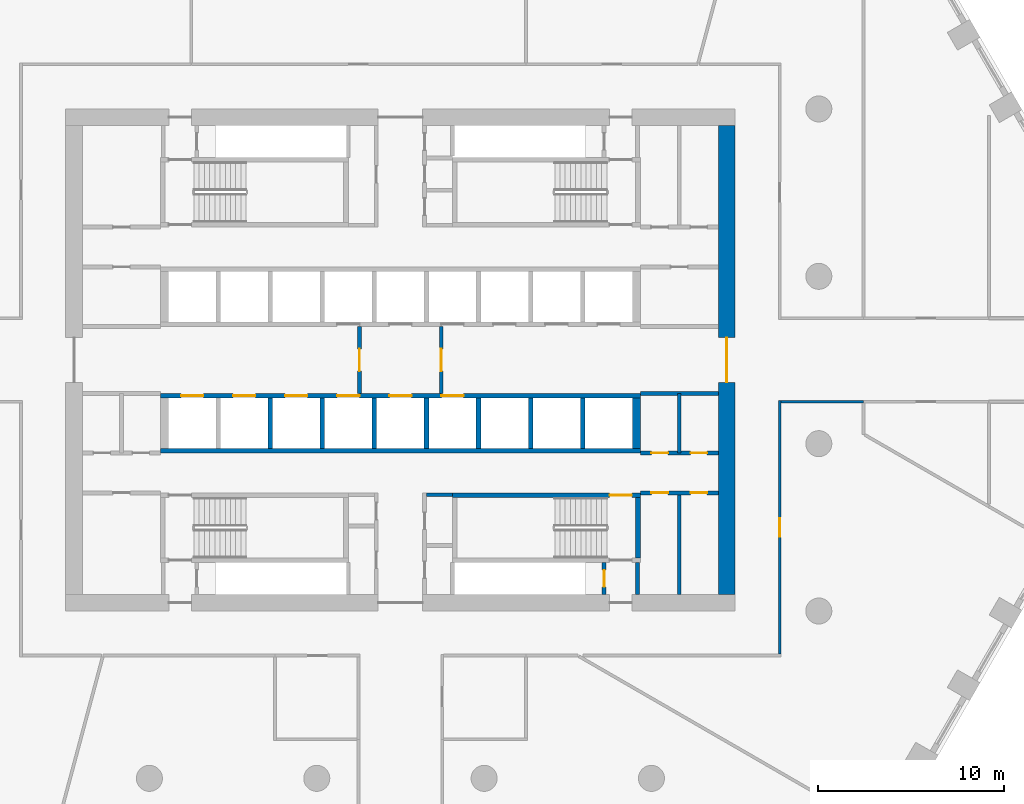
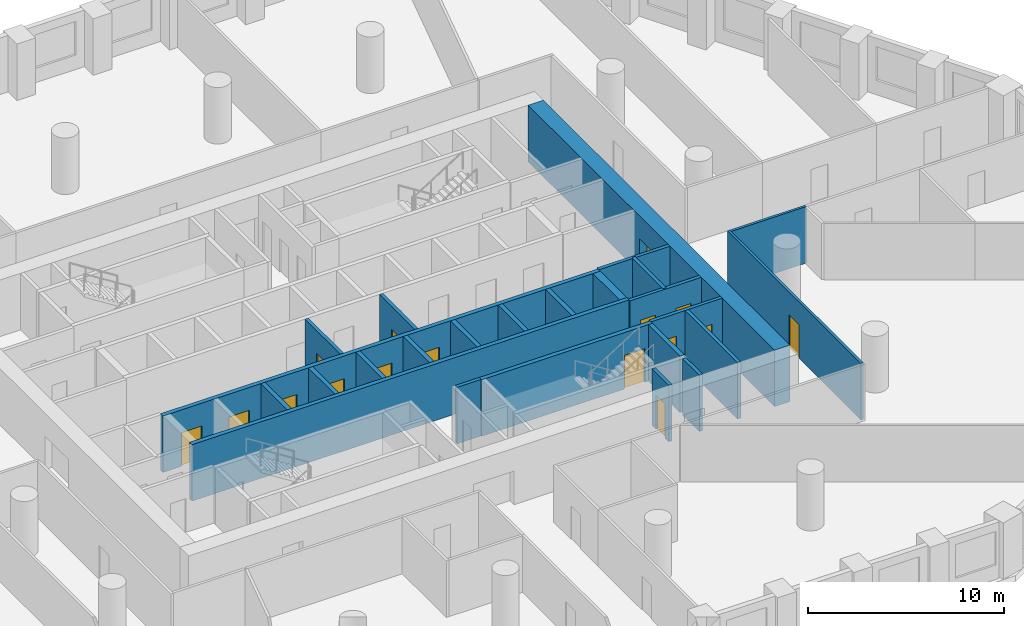
# One storey, part 4 of 10: 25 walls, 16 doors, 16 openings.
"""IFC4 building model written with IfcOpenShell, lengths in metres."""

from ifc_helpers import new_model, si_unit, direction, frame, frame_2d, origin, place, context, subcontext, project, spatial, polyline, rectangle, outline, extrude, material, layer, layer_set, type_object, element, fill, save


model = new_model("IFC4")

# Units and contexts
model_context = context("Model", 3, precision=1e-05, world=origin(), true_north=direction((0.0, 1.0)))
body_context = subcontext(model_context, "Body", "Model", "MODEL_VIEW")
ifc_project = project(units=[si_unit("LENGTHUNIT", "METRE"), si_unit("AREAUNIT", "SQUARE_METRE"), si_unit("VOLUMEUNIT", "CUBIC_METRE"), si_unit("PLANEANGLEUNIT", "RADIAN"), si_unit("MASSUNIT", "GRAM", prefix="KILO")], contexts=[model_context])

# Site, building, storey
site_placement = place(None, origin())
site = spatial("IfcSite", under=ifc_project, at=site_placement, CompositionType="ELEMENT")
building_placement = place(site_placement, origin())
building = spatial("IfcBuilding", under=site, at=building_placement, Name="Dhurran Vertical Campus", CompositionType="ELEMENT")
storey_placement = place(building_placement, frame((0.0, 0.0, 65.10009765625)))
storey = spatial("IfcBuildingStorey", under=building, at=storey_placement, Name="L15", CompositionType="ELEMENT", Elevation=65.10009765625)

# Wall, opening, door
ifc_material_1 = material(Name="Concrete C60/75", Category="concrete")
ifc_layer_1 = layer(ifc_material_1, 0.89990234375)
ifc_layer_set_1 = layer_set([ifc_layer_1], Name="Concrete C60/75")
wall_type_1 = type_object("IfcWallType", Name="co-CORE-WALL-C0-900", PredefinedType="SHEAR", material=ifc_layer_set_1)
wall_1_placement = place(storey_placement, frame((17.550048828125, -12.60009765625, 0.0), z_axis=(0.0, 0.0, 1.0), x_axis=(0.0, 1.0, 0.0)))
wall_1 = element("IfcWall", 1, at=wall_1_placement, inside=storey, type_object=wall_type_1, Name="Core wall E L15", PredefinedType="SHEAR", context=body_context, shape_type="SweptSolid", body=[
    extrude(rectangle(XDim=25.2001953125, YDim=0.89990234375, at=frame_2d((12.60009765625, 0.0))), origin(), (0.0, 0.0, 1.0), 3.52490234375),
])
opening_1_placement = place(wall_1_placement, frame((11.39990234375, 0.0, 0.0)))
opening_1 = element("IfcOpeningElement", 2, at=opening_1_placement, cuts=wall_1, Name="Opening CL2", PredefinedType="OPENING", context=body_context, shape_type="SweptSolid", body=[
    extrude(rectangle(XDim=2.39990234375, YDim=2.10009765625, at=frame_2d((1.199951171875, 1.050048828125))), frame((0.0, 0.4599609375, 0.0), z_axis=(0.0, -1.0, 0.0), x_axis=(1.0, 0.0, 0.0)), (0.0, 0.0, 1.0), 0.919921875),
])
ifc_material_2 = material(Name="Fire-rated glazed door set")
door_type_1 = type_object("IfcDoorType", Name="co-D-LOBBY 2400x2100", OperationType="DOUBLE_DOOR_DOUBLE_SWING", PredefinedType="DOOR", material=ifc_material_2)
door_1_placement = place(opening_1_placement, origin())
door_1 = element("IfcDoor", 3, at=door_1_placement, inside=storey, type_object=door_type_1, Name="Lift lobby door E L15", OperationType="DOUBLE_DOOR_DOUBLE_SWING", OverallHeight=2.10009765625, OverallWidth=2.39990234375, PredefinedType="DOOR", context=body_context, shape_type="SweptSolid", body=[
    extrude(rectangle(XDim=2.39990234375, YDim=2.10009765625, at=frame_2d((1.199951171875, 1.050048828125))), frame((0.0, 0.02490234375, 0.0), z_axis=(0.0, -1.0, 0.0), x_axis=(1.0, 0.0, 0.0)), (0.0, 0.0, 1.0), 0.050048828125),
])
fill(opening_1, door_1)

ifc_material_3 = material(Name="Fire-rated masonry blockwork", Category="masonry")
ifc_layer_2 = layer(ifc_material_3, 0.199951171875)
ifc_layer_set_2 = layer_set([ifc_layer_2], Name="Fire-rated masonry blockwork")
wall_type_2 = type_object("IfcWallType", Name="co-FIRE-PARTITION-200", PredefinedType="PARTITIONING", material=ifc_layer_set_2)
wall_2_placement = place(storey_placement, frame((-2.199951171875, -1.800048828125, 0.0), z_axis=(0.0, 0.0, 1.0), x_axis=(0.0, 1.0, 0.0)))
wall_2 = element("IfcWall", 4, at=wall_2_placement, inside=storey, type_object=wall_type_2, Name="Firefighting lobby wall W L15", PredefinedType="PARTITIONING", context=body_context, shape_type="SweptSolid", body=[
    extrude(rectangle(XDim=3.60009765625, YDim=0.199951171875, at=frame_2d((1.800048828125, 0.0))), origin(), (0.0, 0.0, 1.0), 3.52490234375),
])
opening_2_placement = place(wall_2_placement, frame((1.199951171875, 0.0, 0.0)))
opening_2 = element("IfcOpeningElement", 5, at=opening_2_placement, cuts=wall_2, Name="Opening FL1", PredefinedType="OPENING", context=body_context, shape_type="SweptSolid", body=[
    extrude(rectangle(XDim=1.199951171875, YDim=2.10009765625, at=frame_2d((0.60009765625, 1.050048828125))), frame((0.0, 0.10986328125, 0.0), z_axis=(0.0, -1.0, 0.0), x_axis=(1.0, 0.0, 0.0)), (0.0, 0.0, 1.0), 0.219970703125),
])
ifc_material_4 = material(Name="Fire-rated steel door set", Category="steel")
door_type_2 = type_object("IfcDoorType", Name="co-D-FFLOBBY 1200x2100", OperationType="SINGLE_SWING_LEFT", PredefinedType="DOOR", material=ifc_material_4)
door_2_placement = place(opening_2_placement, origin())
door_2 = element("IfcDoor", 6, at=door_2_placement, inside=storey, type_object=door_type_2, Name="Firefighting lobby door W L15", OperationType="SINGLE_SWING_LEFT", OverallHeight=2.10009765625, OverallWidth=1.199951171875, PredefinedType="DOOR", context=body_context, shape_type="SweptSolid", body=[
    extrude(rectangle(XDim=1.199951171875, YDim=2.10009765625, at=frame_2d((0.60009765625, 1.050048828125))), frame((0.0, 0.02490234375, 0.0), z_axis=(0.0, -1.0, 0.0), x_axis=(1.0, 0.0, 0.0)), (0.0, 0.0, 1.0), 0.050048828125),
])
fill(opening_2, door_2)

wall_3_placement = place(storey_placement, frame((2.199951171875, -1.800048828125, 0.0), z_axis=(0.0, 0.0, 1.0), x_axis=(0.0, 1.0, 0.0)))
wall_3 = element("IfcWall", 7, at=wall_3_placement, inside=storey, type_object=wall_type_2, Name="Firefighting lobby wall E L15", PredefinedType="PARTITIONING", context=body_context, shape_type="SweptSolid", body=[
    extrude(rectangle(XDim=3.60009765625, YDim=0.199951171875, at=frame_2d((1.800048828125, 0.0))), origin(), (0.0, 0.0, 1.0), 3.52490234375),
])
opening_3_placement = place(wall_3_placement, frame((1.199951171875, 0.0, 0.0)))
opening_3 = element("IfcOpeningElement", 8, at=opening_3_placement, cuts=wall_3, Name="Opening FL2", PredefinedType="OPENING", context=body_context, shape_type="SweptSolid", body=[
    extrude(rectangle(XDim=1.199951171875, YDim=2.10009765625, at=frame_2d((0.60009765625, 1.050048828125))), frame((0.0, 0.10986328125, 0.0), z_axis=(0.0, -1.0, 0.0), x_axis=(1.0, 0.0, 0.0)), (0.0, 0.0, 1.0), 0.219970703125),
])
door_3_placement = place(opening_3_placement, origin())
door_3 = element("IfcDoor", 9, at=door_3_placement, inside=storey, type_object=door_type_2, Name="Firefighting lobby door E L15", OperationType="SINGLE_SWING_LEFT", OverallHeight=2.10009765625, OverallWidth=1.199951171875, PredefinedType="DOOR", context=body_context, shape_type="SweptSolid", body=[
    extrude(rectangle(XDim=1.199951171875, YDim=2.10009765625, at=frame_2d((0.60009765625, 1.050048828125))), frame((0.0, 0.02490234375, 0.0), z_axis=(0.0, -1.0, 0.0), x_axis=(1.0, 0.0, 0.0)), (0.0, 0.0, 1.0), 0.050048828125),
])
fill(opening_3, door_3)

# Walls
wall_4_placement = place(storey_placement, frame((1.39990234375, -7.25, 0.0), z_axis=(0.0, 0.0, 1.0), x_axis=(1.0, 0.0, 0.0)))
element("IfcWall", 10, at=wall_4_placement, inside=storey, type_object=wall_type_2, Name="Core partition sl-SE-S L15", PredefinedType="PARTITIONING", context=body_context, shape_type="SweptSolid", body=[
    extrude(rectangle(XDim=1.400146484375, YDim=0.199951171875, at=frame_2d((0.7001953125, 0.0))), origin(), (0.0, 0.0, 1.0), 3.52490234375),
])
wall_5_placement = place(storey_placement, frame((12.75, -12.60009765625, 0.0), z_axis=(0.0, 0.0, 1.0), x_axis=(0.0, 1.0, 0.0)))
element("IfcWall", 11, at=wall_5_placement, inside=storey, type_object=wall_type_2, Name="Core partition pass-ST4-o L15", PredefinedType="PARTITIONING", context=body_context, shape_type="SweptSolid", body=[
    extrude(rectangle(XDim=1.7001953125, YDim=0.199951171875, at=frame_2d((0.85009765625, 0.0))), origin(), (0.0, 0.0, 1.0), 3.52490234375),
])

# Wall, opening, door
wall_6_placement = place(storey_placement, frame((10.949951171875, -12.60009765625, 0.0), z_axis=(0.0, 0.0, 1.0), x_axis=(0.0, 1.0, 0.0)))
wall_6 = element("IfcWall", 12, at=wall_6_placement, inside=storey, type_object=wall_type_2, Name="Core partition pass-ST4-i L15", PredefinedType="PARTITIONING", context=body_context, shape_type="SweptSolid", body=[
    extrude(rectangle(XDim=1.7001953125, YDim=0.199951171875, at=frame_2d((0.85009765625, 0.0))), origin(), (0.0, 0.0, 1.0), 3.52490234375),
])
opening_4_placement = place(wall_6_placement, frame((0.39990234375, 0.0, 0.0)))
opening_4 = element("IfcOpeningElement", 13, at=opening_4_placement, cuts=wall_6, Name="Opening T04-C12", PredefinedType="OPENING", context=body_context, shape_type="SweptSolid", body=[
    extrude(rectangle(XDim=0.89990234375, YDim=2.10009765625, at=frame_2d((0.449951171875, 1.050048828125))), frame((0.0, 0.10986328125, 0.0), z_axis=(0.0, -1.0, 0.0), x_axis=(1.0, 0.0, 0.0)), (0.0, 0.0, 1.0), 0.219970703125),
])
ifc_material_5 = material(Name="Fire-rated timber door set", Category="wood")
door_type_3 = type_object("IfcDoorType", Name="co-D-ROOM 900x2100", OperationType="SINGLE_SWING_LEFT", PredefinedType="DOOR", material=ifc_material_5)
door_4_placement = place(opening_4_placement, origin())
door_4 = element("IfcDoor", 14, at=door_4_placement, inside=storey, type_object=door_type_3, Name="Riser room door L15", OperationType="SINGLE_SWING_LEFT", OverallHeight=2.10009765625, OverallWidth=0.89990234375, PredefinedType="DOOR", context=body_context, shape_type="SweptSolid", body=[
    extrude(rectangle(XDim=0.89990234375, YDim=2.10009765625, at=frame_2d((0.449951171875, 1.050048828125))), frame((0.0, 0.02490234375, 0.0), z_axis=(0.0, -1.0, 0.0), x_axis=(1.0, 0.0, 0.0)), (0.0, 0.0, 1.0), 0.050048828125),
])
fill(opening_4, door_4)

# Wall
wall_7_placement = place(storey_placement, frame((15.0, -12.60009765625, 0.0), z_axis=(0.0, 0.0, 1.0), x_axis=(0.0, 1.0, 0.0)))
element("IfcWall", 15, at=wall_7_placement, inside=storey, type_object=wall_type_2, Name="Core partition en-SE-cut0 L15", PredefinedType="PARTITIONING", context=body_context, shape_type="SweptSolid", body=[
    extrude(rectangle(XDim=5.4501953125, YDim=0.199951171875, at=frame_2d((2.72509765625, 0.0))), origin(), (0.0, 0.0, 1.0), 3.52490234375),
])

# Wall, openings, doors
wall_8_placement = place(storey_placement, frame((12.89990234375, -7.14990234375, 0.0), z_axis=(0.0, 0.0, 1.0), x_axis=(1.0, 0.0, 0.0)))
wall_8 = element("IfcWall", 16, at=wall_8_placement, inside=storey, type_object=wall_type_2, Name="Core partition en-SE-w L15", PredefinedType="PARTITIONING", context=body_context, shape_type="SweptSolid", body=[
    extrude(rectangle(XDim=4.2001953125, YDim=0.199951171875, at=frame_2d((2.10009765625, 0.0))), origin(), (0.0, 0.0, 1.0), 3.52490234375),
])
opening_5_placement = place(wall_8_placement, frame((0.60009765625, 0.0, 0.0)))
opening_5 = element("IfcOpeningElement", 17, at=opening_5_placement, cuts=wall_8, Name="Opening T04-C21", PredefinedType="OPENING", context=body_context, shape_type="SweptSolid", body=[
    extrude(rectangle(XDim=0.89990234375, YDim=2.10009765625, at=frame_2d((0.449951171875, 1.050048828125))), frame((0.0, 0.10986328125, 0.0), z_axis=(0.0, -1.0, 0.0), x_axis=(1.0, 0.0, 0.0)), (0.0, 0.0, 1.0), 0.219970703125),
])
opening_6_placement = place(wall_8_placement, frame((2.699951171875, 0.0, 0.0)))
opening_6 = element("IfcOpeningElement", 18, at=opening_6_placement, cuts=wall_8, Name="Opening T04-C22", PredefinedType="OPENING", context=body_context, shape_type="SweptSolid", body=[
    extrude(rectangle(XDim=0.89990234375, YDim=2.10009765625, at=frame_2d((0.449951171875, 1.050048828125))), frame((0.0, 0.10986328125, 0.0), z_axis=(0.0, -1.0, 0.0), x_axis=(1.0, 0.0, 0.0)), (0.0, 0.0, 1.0), 0.219970703125),
])
door_5_placement = place(opening_5_placement, origin())
door_5 = element("IfcDoor", 19, at=door_5_placement, inside=storey, type_object=door_type_3, Name="Store door L15", OperationType="SINGLE_SWING_LEFT", OverallHeight=2.10009765625, OverallWidth=0.89990234375, PredefinedType="DOOR", context=body_context, shape_type="SweptSolid", body=[
    extrude(rectangle(XDim=0.89990234375, YDim=2.10009765625, at=frame_2d((0.449951171875, 1.050048828125))), frame((0.0, 0.02490234375, 0.0), z_axis=(0.0, -1.0, 0.0), x_axis=(1.0, 0.0, 0.0)), (0.0, 0.0, 1.0), 0.050048828125),
])
fill(opening_5, door_5)
door_6_placement = place(opening_6_placement, origin())
door_6 = element("IfcDoor", 20, at=door_6_placement, inside=storey, type_object=door_type_3, Name="Electrical riser door L15", OperationType="SINGLE_SWING_LEFT", OverallHeight=2.10009765625, OverallWidth=0.89990234375, PredefinedType="DOOR", context=body_context, shape_type="SweptSolid", body=[
    extrude(rectangle(XDim=0.89990234375, YDim=2.10009765625, at=frame_2d((0.449951171875, 1.050048828125))), frame((0.0, 0.02490234375, 0.0), z_axis=(0.0, -1.0, 0.0), x_axis=(1.0, 0.0, 0.0)), (0.0, 0.0, 1.0), 0.050048828125),
])
fill(opening_6, door_6)

# Wall
wall_9_placement = place(storey_placement, frame((15.0, -5.0, 0.0), z_axis=(0.0, 0.0, 1.0), x_axis=(0.0, 1.0, 0.0)))
element("IfcWall", 21, at=wall_9_placement, inside=storey, type_object=wall_type_2, Name="Core partition es-SE-cut0 L15", PredefinedType="PARTITIONING", context=body_context, shape_type="SweptSolid", body=[
    extrude(rectangle(XDim=3.199951171875, YDim=0.199951171875, at=frame_2d((1.60009765625, 0.0))), origin(), (0.0, 0.0, 1.0), 3.52490234375),
])

# Wall, openings, doors
wall_10_placement = place(storey_placement, frame((12.89990234375, -5.0, 0.0), z_axis=(0.0, 0.0, 1.0), x_axis=(1.0, 0.0, 0.0)))
wall_10 = element("IfcWall", 22, at=wall_10_placement, inside=storey, type_object=wall_type_2, Name="Core partition es-SE-w L15", PredefinedType="PARTITIONING", context=body_context, shape_type="SweptSolid", body=[
    extrude(rectangle(XDim=4.2001953125, YDim=0.199951171875, at=frame_2d((2.10009765625, 0.0))), origin(), (0.0, 0.0, 1.0), 3.52490234375),
])
opening_7_placement = place(wall_10_placement, frame((0.60009765625, 0.0, 0.0)))
opening_7 = element("IfcOpeningElement", 23, at=opening_7_placement, cuts=wall_10, Name="Opening T04-C23", PredefinedType="OPENING", context=body_context, shape_type="SweptSolid", body=[
    extrude(rectangle(XDim=0.89990234375, YDim=2.10009765625, at=frame_2d((0.449951171875, 1.050048828125))), frame((0.0, 0.10986328125, 0.0), z_axis=(0.0, -1.0, 0.0), x_axis=(1.0, 0.0, 0.0)), (0.0, 0.0, 1.0), 0.219970703125),
])
opening_8_placement = place(wall_10_placement, frame((2.699951171875, 0.0, 0.0)))
opening_8 = element("IfcOpeningElement", 24, at=opening_8_placement, cuts=wall_10, Name="Opening T04-C24", PredefinedType="OPENING", context=body_context, shape_type="SweptSolid", body=[
    extrude(rectangle(XDim=0.89990234375, YDim=2.10009765625, at=frame_2d((0.449951171875, 1.050048828125))), frame((0.0, 0.10986328125, 0.0), z_axis=(0.0, -1.0, 0.0), x_axis=(1.0, 0.0, 0.0)), (0.0, 0.0, 1.0), 0.219970703125),
])
door_7_placement = place(opening_7_placement, origin())
door_7 = element("IfcDoor", 25, at=door_7_placement, inside=storey, type_object=door_type_3, Name="Pantry door L15", OperationType="SINGLE_SWING_LEFT", OverallHeight=2.10009765625, OverallWidth=0.89990234375, PredefinedType="DOOR", context=body_context, shape_type="SweptSolid", body=[
    extrude(rectangle(XDim=0.89990234375, YDim=2.10009765625, at=frame_2d((0.449951171875, 1.050048828125))), frame((0.0, 0.02490234375, 0.0), z_axis=(0.0, -1.0, 0.0), x_axis=(1.0, 0.0, 0.0)), (0.0, 0.0, 1.0), 0.050048828125),
])
fill(opening_7, door_7)
door_8_placement = place(opening_8_placement, origin())
door_8 = element("IfcDoor", 26, at=door_8_placement, inside=storey, type_object=door_type_3, Name="Pantry door L15", OperationType="SINGLE_SWING_LEFT", OverallHeight=2.10009765625, OverallWidth=0.89990234375, PredefinedType="DOOR", context=body_context, shape_type="SweptSolid", body=[
    extrude(rectangle(XDim=0.89990234375, YDim=2.10009765625, at=frame_2d((0.449951171875, 1.050048828125))), frame((0.0, 0.02490234375, 0.0), z_axis=(0.0, -1.0, 0.0), x_axis=(1.0, 0.0, 0.0)), (0.0, 0.0, 1.0), 0.050048828125),
])
fill(opening_8, door_8)

# Wall
wall_11_placement = place(storey_placement, frame((12.89990234375, -1.800048828125, 0.0), z_axis=(0.0, 0.0, 1.0), x_axis=(1.0, 0.0, 0.0)))
element("IfcWall", 27, at=wall_11_placement, inside=storey, type_object=wall_type_2, Name="Core partition es-SE-l L15", PredefinedType="PARTITIONING", context=body_context, shape_type="SweptSolid", body=[
    extrude(rectangle(XDim=4.2001953125, YDim=0.199951171875, at=frame_2d((2.10009765625, 0.0))), origin(), (0.0, 0.0, 1.0), 3.52490234375),
])

# Wall, openings, doors
ifc_material_6 = material(Name="Concrete C50/60", Category="concrete")
ifc_layer_3 = layer(ifc_material_6, 0.25)
ifc_layer_set_3 = layer_set([ifc_layer_3], Name="Concrete C50/60")
wall_type_3 = type_object("IfcWallType", Name="co-SHAFT-FRONT-250", PredefinedType="SHEAR", material=ifc_layer_set_3)
wall_12_placement = place(storey_placement, frame((-12.89990234375, -1.925048828125, 0.0), z_axis=(0.0, 0.0, 1.0), x_axis=(1.0, 0.0, 0.0)))
wall_12 = element("IfcWall", 28, at=wall_12_placement, inside=storey, type_object=wall_type_3, Name="Lift landing wall S L15", PredefinedType="SHEAR", context=body_context, shape_type="SweptSolid", body=[
    extrude(rectangle(XDim=25.7998046875, YDim=0.25, at=frame_2d((12.89990234375, 0.0))), origin(), (0.0, 0.0, 1.0), 3.52490234375),
])
opening_9_placement = place(wall_12_placement, frame((1.10009765625, 0.0, 0.0)))
opening_9 = element("IfcOpeningElement", 29, at=opening_9_placement, cuts=wall_12, Name="Opening LD", PredefinedType="OPENING", context=body_context, shape_type="SweptSolid", body=[
    extrude(rectangle(XDim=1.199951171875, YDim=2.10009765625, at=frame_2d((0.60009765625, 1.050048828125))), frame((0.0, 0.135009765625, 0.0), z_axis=(0.0, -1.0, 0.0), x_axis=(1.0, 0.0, 0.0)), (0.0, 0.0, 1.0), 0.27001953125),
])
opening_10_placement = place(wall_12_placement, frame((3.89990234375, 0.0, 0.0)))
opening_10 = element("IfcOpeningElement", 30, at=opening_10_placement, cuts=wall_12, Name="Opening LD", PredefinedType="OPENING", context=body_context, shape_type="SweptSolid", body=[
    extrude(rectangle(XDim=1.199951171875, YDim=2.10009765625, at=frame_2d((0.60009765625, 1.050048828125))), frame((0.0, 0.135009765625, 0.0), z_axis=(0.0, -1.0, 0.0), x_axis=(1.0, 0.0, 0.0)), (0.0, 0.0, 1.0), 0.27001953125),
])
opening_11_placement = place(wall_12_placement, frame((6.699951171875, 0.0, 0.0)))
opening_11 = element("IfcOpeningElement", 31, at=opening_11_placement, cuts=wall_12, Name="Opening LD", PredefinedType="OPENING", context=body_context, shape_type="SweptSolid", body=[
    extrude(rectangle(XDim=1.199951171875, YDim=2.10009765625, at=frame_2d((0.60009765625, 1.050048828125))), frame((0.0, 0.135009765625, 0.0), z_axis=(0.0, -1.0, 0.0), x_axis=(1.0, 0.0, 0.0)), (0.0, 0.0, 1.0), 0.27001953125),
])
opening_12_placement = place(wall_12_placement, frame((9.5, 0.0, 0.0)))
opening_12 = element("IfcOpeningElement", 32, at=opening_12_placement, cuts=wall_12, Name="Opening LD", PredefinedType="OPENING", context=body_context, shape_type="SweptSolid", body=[
    extrude(rectangle(XDim=1.199951171875, YDim=2.10009765625, at=frame_2d((0.60009765625, 1.050048828125))), frame((0.0, 0.135009765625, 0.0), z_axis=(0.0, -1.0, 0.0), x_axis=(1.0, 0.0, 0.0)), (0.0, 0.0, 1.0), 0.27001953125),
])
opening_13_placement = place(wall_12_placement, frame((12.300048828125, 0.0, 0.0)))
opening_13 = element("IfcOpeningElement", 33, at=opening_13_placement, cuts=wall_12, Name="Opening LD", PredefinedType="OPENING", context=body_context, shape_type="SweptSolid", body=[
    extrude(rectangle(XDim=1.199951171875, YDim=2.10009765625, at=frame_2d((0.60009765625, 1.050048828125))), frame((0.0, 0.135009765625, 0.0), z_axis=(0.0, -1.0, 0.0), x_axis=(1.0, 0.0, 0.0)), (0.0, 0.0, 1.0), 0.27001953125),
])
opening_14_placement = place(wall_12_placement, frame((15.10009765625, 0.0, 0.0)))
opening_14 = element("IfcOpeningElement", 34, at=opening_14_placement, cuts=wall_12, Name="Opening LD", PredefinedType="OPENING", context=body_context, shape_type="SweptSolid", body=[
    extrude(rectangle(XDim=1.199951171875, YDim=2.10009765625, at=frame_2d((0.60009765625, 1.050048828125))), frame((0.0, 0.135009765625, 0.0), z_axis=(0.0, -1.0, 0.0), x_axis=(1.0, 0.0, 0.0)), (0.0, 0.0, 1.0), 0.27001953125),
])
ifc_material_7 = material(Name="Stainless steel landing door", Category="steel")
door_type_4 = type_object("IfcDoorType", Name="co-D-LANDING 1200x2100", OperationType="DOUBLE_DOOR_SLIDING", PredefinedType="DOOR", material=ifc_material_7)
door_9_placement = place(opening_9_placement, origin())
door_9 = element("IfcDoor", 35, at=door_9_placement, inside=storey, type_object=door_type_4, Name="Landing door LR5 L15", OperationType="DOUBLE_DOOR_SLIDING", OverallHeight=2.10009765625, OverallWidth=1.199951171875, PredefinedType="DOOR", context=body_context, shape_type="SweptSolid", body=[
    extrude(rectangle(XDim=1.199951171875, YDim=2.10009765625, at=frame_2d((0.60009765625, 1.050048828125))), frame((0.0, 0.02490234375, 0.0), z_axis=(0.0, -1.0, 0.0), x_axis=(1.0, 0.0, 0.0)), (0.0, 0.0, 1.0), 0.050048828125),
])
fill(opening_9, door_9)
door_10_placement = place(opening_10_placement, origin())
door_10 = element("IfcDoor", 36, at=door_10_placement, inside=storey, type_object=door_type_4, Name="Landing door LR6 L15", OperationType="DOUBLE_DOOR_SLIDING", OverallHeight=2.10009765625, OverallWidth=1.199951171875, PredefinedType="DOOR", context=body_context, shape_type="SweptSolid", body=[
    extrude(rectangle(XDim=1.199951171875, YDim=2.10009765625, at=frame_2d((0.60009765625, 1.050048828125))), frame((0.0, 0.02490234375, 0.0), z_axis=(0.0, -1.0, 0.0), x_axis=(1.0, 0.0, 0.0)), (0.0, 0.0, 1.0), 0.050048828125),
])
fill(opening_10, door_10)
door_11_placement = place(opening_11_placement, origin())
door_11 = element("IfcDoor", 37, at=door_11_placement, inside=storey, type_object=door_type_4, Name="Landing door LR7 L15", OperationType="DOUBLE_DOOR_SLIDING", OverallHeight=2.10009765625, OverallWidth=1.199951171875, PredefinedType="DOOR", context=body_context, shape_type="SweptSolid", body=[
    extrude(rectangle(XDim=1.199951171875, YDim=2.10009765625, at=frame_2d((0.60009765625, 1.050048828125))), frame((0.0, 0.02490234375, 0.0), z_axis=(0.0, -1.0, 0.0), x_axis=(1.0, 0.0, 0.0)), (0.0, 0.0, 1.0), 0.050048828125),
])
fill(opening_11, door_11)
door_12_placement = place(opening_12_placement, origin())
door_12 = element("IfcDoor", 38, at=door_12_placement, inside=storey, type_object=door_type_4, Name="Landing door LR8 L15", OperationType="DOUBLE_DOOR_SLIDING", OverallHeight=2.10009765625, OverallWidth=1.199951171875, PredefinedType="DOOR", context=body_context, shape_type="SweptSolid", body=[
    extrude(rectangle(XDim=1.199951171875, YDim=2.10009765625, at=frame_2d((0.60009765625, 1.050048828125))), frame((0.0, 0.02490234375, 0.0), z_axis=(0.0, -1.0, 0.0), x_axis=(1.0, 0.0, 0.0)), (0.0, 0.0, 1.0), 0.050048828125),
])
fill(opening_12, door_12)
door_13_placement = place(opening_13_placement, origin())
door_13 = element("IfcDoor", 39, at=door_13_placement, inside=storey, type_object=door_type_4, Name="Landing door FF2 L15", OperationType="DOUBLE_DOOR_SLIDING", OverallHeight=2.10009765625, OverallWidth=1.199951171875, PredefinedType="DOOR", context=body_context, shape_type="SweptSolid", body=[
    extrude(rectangle(XDim=1.199951171875, YDim=2.10009765625, at=frame_2d((0.60009765625, 1.050048828125))), frame((0.0, 0.02490234375, 0.0), z_axis=(0.0, -1.0, 0.0), x_axis=(1.0, 0.0, 0.0)), (0.0, 0.0, 1.0), 0.050048828125),
])
fill(opening_13, door_13)
door_14_placement = place(opening_14_placement, origin())
door_14 = element("IfcDoor", 40, at=door_14_placement, inside=storey, type_object=door_type_4, Name="Landing door SV1 L15", OperationType="DOUBLE_DOOR_SLIDING", OverallHeight=2.10009765625, OverallWidth=1.199951171875, PredefinedType="DOOR", context=body_context, shape_type="SweptSolid", body=[
    extrude(rectangle(XDim=1.199951171875, YDim=2.10009765625, at=frame_2d((0.60009765625, 1.050048828125))), frame((0.0, 0.02490234375, 0.0), z_axis=(0.0, -1.0, 0.0), x_axis=(1.0, 0.0, 0.0)), (0.0, 0.0, 1.0), 0.050048828125),
])
fill(opening_14, door_14)

# Walls
ifc_material_8 = material(Name="Concrete C50/60", Category="concrete")
ifc_layer_4 = layer(ifc_material_8, 0.25)
ifc_layer_set_4 = layer_set([ifc_layer_4], Name="Concrete C50/60")
wall_type_4 = type_object("IfcWallType", Name="co-SHAFT-MASS-250", PredefinedType="SHEAR", material=ifc_layer_set_4)
wall_13_placement = place(storey_placement, origin())
element("IfcWall", 41, at=wall_13_placement, inside=storey, type_object=wall_type_4, Name="Lift shaft wall S L15 1", PredefinedType="SHEAR", context=body_context, shape_type="SweptSolid", body=[
    extrude(outline(polyline([(-12.89990234375, -5.0), (12.89990234375, -5.0), (12.89990234375, -4.75), (-12.89990234375, -4.75), (-12.89990234375, -5.0)])), origin(), (0.0, 0.0, 1.0), 3.52490234375),
])
wall_14_placement = place(storey_placement, origin())
element("IfcWall", 42, at=wall_14_placement, inside=storey, type_object=wall_type_4, Name="Lift shaft wall S L15 4", PredefinedType="SHEAR", context=body_context, shape_type="SweptSolid", body=[
    extrude(outline(polyline([(-7.125, -4.75), (-6.875, -4.75), (-6.875, -2.050048828125), (-7.125, -2.050048828125), (-7.125, -4.75)])), origin(), (0.0, 0.0, 1.0), 3.52490234375),
])
wall_15_placement = place(storey_placement, origin())
element("IfcWall", 43, at=wall_15_placement, inside=storey, type_object=wall_type_4, Name="Lift shaft wall S L15 5", PredefinedType="SHEAR", context=body_context, shape_type="SweptSolid", body=[
    extrude(outline(polyline([(-4.324951171875, -4.75), (-4.074951171875, -4.75), (-4.074951171875, -2.050048828125), (-4.324951171875, -2.050048828125), (-4.324951171875, -4.75)])), origin(), (0.0, 0.0, 1.0), 3.52490234375),
])
wall_16_placement = place(storey_placement, origin())
element("IfcWall", 44, at=wall_16_placement, inside=storey, type_object=wall_type_4, Name="Lift shaft wall S L15 6", PredefinedType="SHEAR", context=body_context, shape_type="SweptSolid", body=[
    extrude(outline(polyline([(-1.52490234375, -4.75), (-1.27490234375, -4.75), (-1.27490234375, -2.050048828125), (-1.52490234375, -2.050048828125), (-1.52490234375, -4.75)])), origin(), (0.0, 0.0, 1.0), 3.52490234375),
])
wall_17_placement = place(storey_placement, origin())
element("IfcWall", 45, at=wall_17_placement, inside=storey, type_object=wall_type_4, Name="Lift shaft wall S L15 7", PredefinedType="SHEAR", context=body_context, shape_type="SweptSolid", body=[
    extrude(outline(polyline([(1.27490234375, -4.75), (1.52490234375, -4.75), (1.52490234375, -2.050048828125), (1.27490234375, -2.050048828125), (1.27490234375, -4.75)])), origin(), (0.0, 0.0, 1.0), 3.52490234375),
])
wall_18_placement = place(storey_placement, origin())
element("IfcWall", 46, at=wall_18_placement, inside=storey, type_object=wall_type_4, Name="Lift shaft wall S L15 8", PredefinedType="SHEAR", context=body_context, shape_type="SweptSolid", body=[
    extrude(outline(polyline([(4.074951171875, -4.75), (4.324951171875, -4.75), (4.324951171875, -2.050048828125), (4.074951171875, -2.050048828125), (4.074951171875, -4.75)])), origin(), (0.0, 0.0, 1.0), 3.52490234375),
])
wall_19_placement = place(storey_placement, origin())
element("IfcWall", 47, at=wall_19_placement, inside=storey, type_object=wall_type_4, Name="Lift shaft wall S L15 9", PredefinedType="SHEAR", context=body_context, shape_type="SweptSolid", body=[
    extrude(outline(polyline([(6.875, -4.75), (7.125, -4.75), (7.125, -2.050048828125), (6.875, -2.050048828125), (6.875, -4.75)])), origin(), (0.0, 0.0, 1.0), 3.52490234375),
])
wall_20_placement = place(storey_placement, origin())
element("IfcWall", 48, at=wall_20_placement, inside=storey, type_object=wall_type_4, Name="Lift shaft wall S L15 10", PredefinedType="SHEAR", context=body_context, shape_type="SweptSolid", body=[
    extrude(outline(polyline([(9.675048828125, -4.75), (9.925048828125, -4.75), (9.925048828125, -2.050048828125), (9.675048828125, -2.050048828125), (9.675048828125, -4.75)])), origin(), (0.0, 0.0, 1.0), 3.52490234375),
])
wall_21_placement = place(storey_placement, origin())
element("IfcWall", 49, at=wall_21_placement, inside=storey, type_object=wall_type_4, Name="Lift shaft wall S L15 11", PredefinedType="SHEAR", context=body_context, shape_type="SweptSolid", body=[
    extrude(outline(polyline([(12.47509765625, -4.75), (12.89990234375, -4.75), (12.89990234375, -2.050048828125), (12.47509765625, -2.050048828125), (12.47509765625, -4.75)])), origin(), (0.0, 0.0, 1.0), 3.52490234375),
])

# Wall, opening, door
ifc_material_9 = material(Name="Concrete C40/50", Category="concrete")
ifc_layer_5 = layer(ifc_material_9, 0.25)
ifc_layer_set_5 = layer_set([ifc_layer_5], Name="Concrete C40/50")
wall_type_5 = type_object("IfcWallType", Name="co-STAIR-WALL-250", PredefinedType="SHEAR", material=ifc_layer_set_5)
wall_22_placement = place(storey_placement, frame((2.800048828125, -7.27490234375, 0.0), z_axis=(0.0, 0.0, 1.0), x_axis=(1.0, 0.0, 0.0)))
wall_22 = element("IfcWall", 50, at=wall_22_placement, inside=storey, type_object=wall_type_5, Name="Stair ST4 enclosure wall L15", PredefinedType="SHEAR", context=body_context, shape_type="SweptSolid", body=[
    extrude(rectangle(XDim=10.099853515625, YDim=0.25, at=frame_2d((5.0498046875, 0.0))), origin(), (0.0, 0.0, 1.0), 3.52490234375),
])
opening_15_placement = place(wall_22_placement, frame((8.449951171875, 0.0, 0.0)))
opening_15 = element("IfcOpeningElement", 51, at=opening_15_placement, cuts=wall_22, Name="Opening SD4", PredefinedType="OPENING", context=body_context, shape_type="SweptSolid", body=[
    extrude(rectangle(XDim=1.199951171875, YDim=2.10009765625, at=frame_2d((0.60009765625, 1.050048828125))), frame((0.0, 0.135009765625, 0.0), z_axis=(0.0, -1.0, 0.0), x_axis=(1.0, 0.0, 0.0)), (0.0, 0.0, 1.0), 0.27001953125),
])
ifc_material_10 = material(Name="Fire-rated steel door set", Category="steel")
door_type_5 = type_object("IfcDoorType", Name="co-D-STAIR 1200x2100", OperationType="SINGLE_SWING_LEFT", PredefinedType="DOOR", material=ifc_material_10)
door_15_placement = place(opening_15_placement, origin())
door_15 = element("IfcDoor", 52, at=door_15_placement, inside=storey, type_object=door_type_5, Name="Stair ST4 door L15", OperationType="SINGLE_SWING_LEFT", OverallHeight=2.10009765625, OverallWidth=1.199951171875, PredefinedType="DOOR", context=body_context, shape_type="SweptSolid", body=[
    extrude(rectangle(XDim=1.199951171875, YDim=2.10009765625, at=frame_2d((0.60009765625, 1.050048828125))), frame((0.0, 0.02490234375, 0.0), z_axis=(0.0, -1.0, 0.0), x_axis=(1.0, 0.0, 0.0)), (0.0, 0.0, 1.0), 0.050048828125),
])
fill(opening_15, door_15)

# Wall
wall_23_placement = place(storey_placement, frame((12.77490234375, -10.64990234375, 0.0), z_axis=(0.0, 0.0, 1.0), x_axis=(0.0, 1.0, 0.0)))
element("IfcWall", 53, at=wall_23_placement, inside=storey, type_object=wall_type_5, Name="Stair ST4 enclosure wall L15", PredefinedType="SHEAR", context=body_context, shape_type="SweptSolid", body=[
    extrude(rectangle(XDim=3.25, YDim=0.25, at=frame_2d((1.625, 0.0))), origin(), (0.0, 0.0, 1.0), 3.52490234375),
])

# Wall, opening, door
ifc_material_11 = material(Name="Gypsum board corridor wall on steel studs", Category="steel")
ifc_layer_6 = layer(ifc_material_11, 0.14990234375)
ifc_layer_set_6 = layer_set([ifc_layer_6], Name="Gypsum board corridor wall on steel studs")
wall_type_6 = type_object("IfcWallType", Name="fl-CW-150 corridor wall", PredefinedType="PARTITIONING", material=ifc_layer_set_6)
wall_24_placement = place(storey_placement, frame((20.39990234375, -15.824951171875, 0.0), z_axis=(0.0, 0.0, 1.0), x_axis=(0.0, 1.0, 0.0)))
wall_24 = element("IfcWall", 54, at=wall_24_placement, inside=storey, type_object=wall_type_6, Name="Partition 15-36", PredefinedType="PARTITIONING", context=body_context, shape_type="SweptSolid", body=[
    extrude(rectangle(XDim=13.64990234375, YDim=0.14990234375, at=frame_2d((6.824951171875, 0.0))), origin(), (0.0, 0.0, 1.0), 3.52490234375),
])
opening_16_placement = place(wall_24_placement, frame((6.324951171875, 0.0, 0.0)))
opening_16 = element("IfcOpeningElement", 55, at=opening_16_placement, cuts=wall_24, Name="Opening T04.14", PredefinedType="OPENING", context=body_context, shape_type="SweptSolid", body=[
    extrude(rectangle(XDim=1.0, YDim=2.10009765625, at=frame_2d((0.5, 1.050048828125))), frame((0.0, 0.0849609375, 0.0), z_axis=(0.0, -1.0, 0.0), x_axis=(1.0, 0.0, 0.0)), (0.0, 0.0, 1.0), 0.169921875),
])
ifc_material_12 = material(Name="Solid-core timber door set, fire-rated", Category="wood")
door_type_6 = type_object("IfcDoorType", Name="fl-D-1000x2100", OperationType="SINGLE_SWING_LEFT", PredefinedType="DOOR", material=ifc_material_12)
door_16_placement = place(opening_16_placement, origin())
door_16 = element("IfcDoor", 56, at=door_16_placement, inside=storey, type_object=door_type_6, Name="Door 15.14", OperationType="SINGLE_SWING_RIGHT", OverallHeight=2.10009765625, OverallWidth=1.0, PredefinedType="DOOR", context=body_context, shape_type="SweptSolid", body=[
    extrude(rectangle(XDim=1.0, YDim=2.10009765625, at=frame_2d((0.5, 1.050048828125))), frame((0.0, 0.02490234375, 0.0), z_axis=(0.0, -1.0, 0.0), x_axis=(1.0, 0.0, 0.0)), (0.0, 0.0, 1.0), 0.050048828125),
])
fill(opening_16, door_16)

# Wall
wall_25_placement = place(storey_placement, frame((24.89990234375, -2.25, 0.0), z_axis=(0.0, 0.0, 1.0), x_axis=(-1.0, 0.0, 0.0)))
element("IfcWall", 57, at=wall_25_placement, inside=storey, type_object=wall_type_6, Name="Partition 15-37", PredefinedType="PARTITIONING", context=body_context, shape_type="SweptSolid", body=[
    extrude(rectangle(XDim=4.4248046875, YDim=0.14990234375, at=frame_2d((2.21240234375, 0.0))), origin(), (0.0, 0.0, 1.0), 3.52490234375),
])

save(model, "model.ifc")
